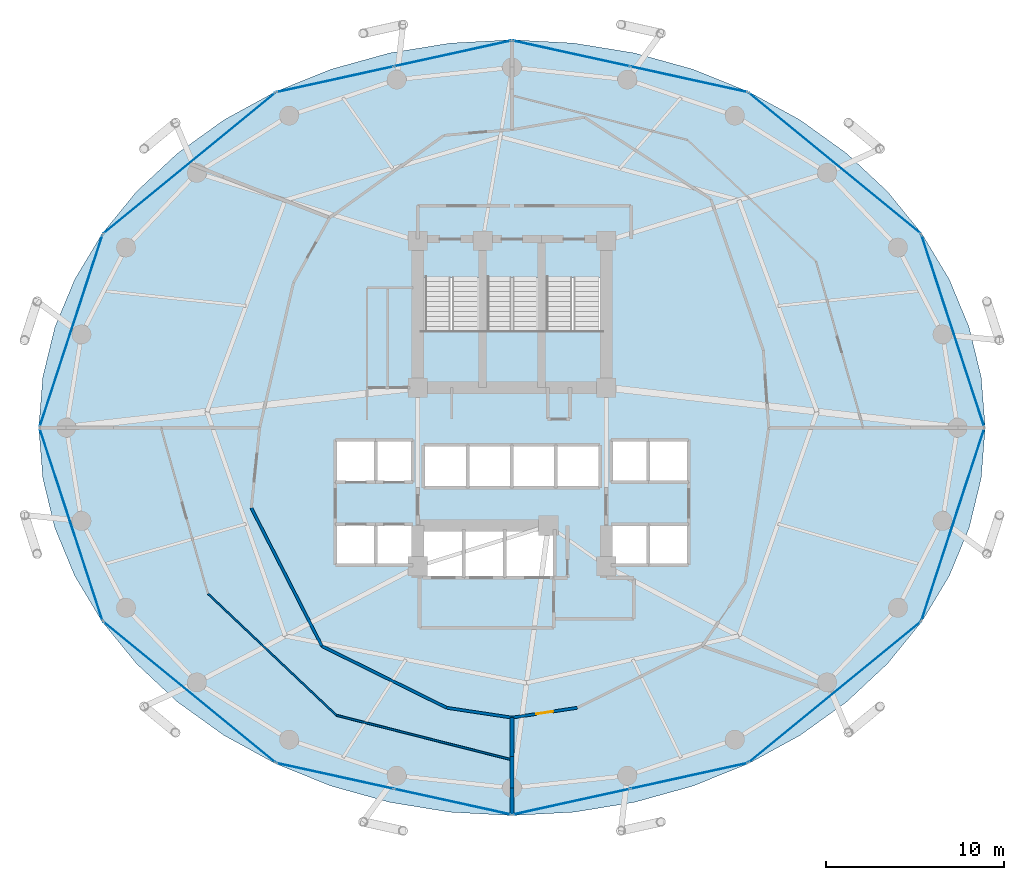
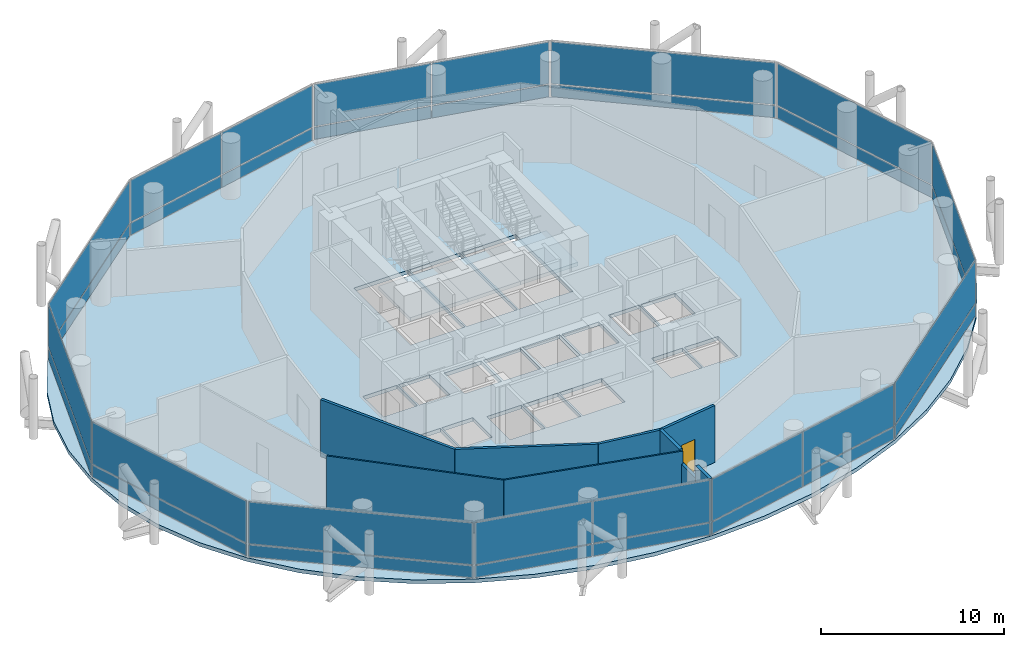
# One storey, part 20 of 24: 32 plates, 9 walls, 4 slabs, 1 door, 1 opening, 15 elements without a shape of their own.
"""IFC4 building model written with IfcOpenShell, lengths in metres."""

from ifc_helpers import new_model, si_unit, direction, frame, frame_2d, origin, origin_2d, place, context, subcontext, project, spatial, polyline, rectangle, outline, extrude, material, layer, layer_set, type_object, element, fill, aggregate, save


model = new_model("IFC4")

# Units and contexts
model_context = context("Model", 3, precision=1e-05, world=origin(), true_north=direction((0.0, 1.0)))
body_context = subcontext(model_context, "Body", "Model", "MODEL_VIEW")
ifc_project = project(units=[si_unit("LENGTHUNIT", "METRE"), si_unit("AREAUNIT", "SQUARE_METRE"), si_unit("VOLUMEUNIT", "CUBIC_METRE"), si_unit("PLANEANGLEUNIT", "RADIAN"), si_unit("MASSUNIT", "GRAM", prefix="KILO")], contexts=[model_context])

# Site, building, storey
site_placement = place(None, origin())
site = spatial("IfcSite", under=ifc_project, at=site_placement, CompositionType="ELEMENT")
building_placement = place(site_placement, origin())
building = spatial("IfcBuilding", under=site, at=building_placement, Name="Nuhasar Tower", CompositionType="ELEMENT")
storey_placement = place(building_placement, frame((0.0, 0.0, 77.699951171875)))
storey = spatial("IfcBuildingStorey", under=building, at=storey_placement, Name="L18", CompositionType="ELEMENT", Elevation=77.699951171875)

# Curtain wall, plate
ifc_material_1 = material(Name="Aluminium 6063-T6", Category="aluminium")
ifc_layer_1 = layer(ifc_material_1, 0.199951171875)
ifc_layer_set_1 = layer_set([ifc_layer_1], Name="Aluminium 6063-T6")
curtain_wall_type = type_object("IfcCurtainWallType", Name="CW-Z1-OFF", PredefinedType="NOTDEFINED", material=ifc_layer_set_1)
curtain_wall_1_placement = place(storey_placement, origin())
curtain_wall_1 = element("IfcCurtainWall", 1, at=curtain_wall_1_placement, inside=storey, type_object=curtain_wall_type, Name="L18 Unitised Curtain Wall 01", PredefinedType="NOTDEFINED")
ifc_material_2 = material(Name="Glass Double Low-E", Category="glass")
ifc_layer_2 = layer(ifc_material_2, 0.028076171875)
ifc_layer_set_2 = layer_set([ifc_layer_2], Name="Glass Double Low-E")
plate_type_1 = type_object("IfcPlateType", Name="CW-PANEL-GLZ", PredefinedType="CURTAIN_PANEL", material=ifc_layer_set_2)
plate_1_placement = place(storey_placement, frame((63.781005859375, 32.239990234375, 0.9326171875), z_axis=(0.0, 0.0, 1.0), x_axis=(-0.310823849997, 0.950467534571, 0.0)))
plate_1 = element("IfcPlate", 2, at=plate_1_placement, type_object=plate_type_1, Name="CW-Z1 panel 1.2", PredefinedType="CURTAIN_PANEL", context=body_context, shape_type="SweptSolid", body=[
    extrude(rectangle(XDim=11.31689453125, YDim=0.028076171875, at=origin_2d()), origin(), (0.0, 0.0, 1.0), 2.802490234375),
])

curtain_wall_2_placement = place(storey_placement, origin())
curtain_wall_2 = element("IfcCurtainWall", 3, at=curtain_wall_2_placement, inside=storey, type_object=curtain_wall_type, Name="L18 Unitised Curtain Wall 02", PredefinedType="NOTDEFINED")
plate_2_placement = place(storey_placement, frame((57.14111328125, 41.66259765625, 0.9326171875), z_axis=(0.0, 0.0, 1.0), x_axis=(-0.773542364946, 0.633744593376, 0.0)))
plate_2 = element("IfcPlate", 4, at=plate_2_placement, type_object=plate_type_1, Name="CW-Z1 panel 1.2", PredefinedType="CURTAIN_PANEL", context=body_context, shape_type="SweptSolid", body=[
    extrude(rectangle(XDim=12.438232421875, YDim=0.028076171875, at=origin_2d()), origin(), (0.0, 0.0, 1.0), 2.802490234375),
])

# Curtain wall, plates
curtain_wall_3_placement = place(storey_placement, origin())
curtain_wall_3 = element("IfcCurtainWall", 5, at=curtain_wall_3_placement, inside=storey, type_object=curtain_wall_type, Name="L18 Unitised Curtain Wall 03", PredefinedType="NOTDEFINED")
plate_3_placement = place(storey_placement, frame((48.944091796875, 46.377197265625, 0.9326171875), z_axis=(0.0, 0.0, 1.0), x_axis=(-0.976746221544, 0.214398737637, 0.0)))
plate_3 = element("IfcPlate", 6, at=plate_3_placement, type_object=plate_type_1, Name="CW-Z1 panel 1.2", PredefinedType="CURTAIN_PANEL", context=body_context, shape_type="SweptSolid", body=[
    extrude(rectangle(XDim=6.70068359375, YDim=0.028076171875, at=origin_2d()), origin(), (0.0, 0.0, 1.0), 2.802490234375),
])
plate_4_placement = place(storey_placement, frame((42.3359375, 47.827880859375, 0.9326171875), z_axis=(0.0, 0.0, 1.0), x_axis=(-0.976746221544, 0.214398737637, 0.0)))
plate_4 = element("IfcPlate", 7, at=plate_4_placement, type_object=plate_type_1, Name="CW-Z1 panel 2.2", PredefinedType="CURTAIN_PANEL", context=body_context, shape_type="SweptSolid", body=[
    extrude(rectangle(XDim=6.70068359375, YDim=0.028076171875, at=origin_2d()), origin(), (0.0, 0.0, 1.0), 2.802490234375),
])

curtain_wall_4_placement = place(storey_placement, origin())
curtain_wall_4 = element("IfcCurtainWall", 8, at=curtain_wall_4_placement, inside=storey, type_object=curtain_wall_type, Name="L18 Unitised Curtain Wall 04", PredefinedType="NOTDEFINED")
plate_5_placement = place(storey_placement, frame((35.6640625, 47.827880859375, 0.9326171875), z_axis=(0.0, 0.0, 1.0), x_axis=(-0.976746221544, -0.214398737637, 0.0)))
plate_5 = element("IfcPlate", 9, at=plate_5_placement, type_object=plate_type_1, Name="CW-Z1 panel 1.2", PredefinedType="CURTAIN_PANEL", context=body_context, shape_type="SweptSolid", body=[
    extrude(rectangle(XDim=6.70068359375, YDim=0.028076171875, at=origin_2d()), origin(), (0.0, 0.0, 1.0), 2.802490234375),
])
plate_6_placement = place(storey_placement, frame((29.055908203125, 46.377197265625, 0.9326171875), z_axis=(0.0, 0.0, 1.0), x_axis=(-0.976746221544, -0.214398737637, 0.0)))
plate_6 = element("IfcPlate", 10, at=plate_6_placement, type_object=plate_type_1, Name="CW-Z1 panel 2.2", PredefinedType="CURTAIN_PANEL", context=body_context, shape_type="SweptSolid", body=[
    extrude(rectangle(XDim=6.70068359375, YDim=0.028076171875, at=origin_2d()), origin(), (0.0, 0.0, 1.0), 2.802490234375),
])

# Curtain wall, plate
curtain_wall_5_placement = place(storey_placement, origin())
curtain_wall_5 = element("IfcCurtainWall", 11, at=curtain_wall_5_placement, inside=storey, type_object=curtain_wall_type, Name="L18 Unitised Curtain Wall 05", PredefinedType="NOTDEFINED")
plate_7_placement = place(storey_placement, frame((20.85888671875, 41.66259765625, 0.9326171875), z_axis=(0.0, 0.0, 1.0), x_axis=(-0.773542364946, -0.633744593376, 0.0)))
plate_7 = element("IfcPlate", 12, at=plate_7_placement, type_object=plate_type_1, Name="CW-Z1 panel 1.2", PredefinedType="CURTAIN_PANEL", context=body_context, shape_type="SweptSolid", body=[
    extrude(rectangle(XDim=12.438232421875, YDim=0.028076171875, at=origin_2d()), origin(), (0.0, 0.0, 1.0), 2.802490234375),
])

curtain_wall_6_placement = place(storey_placement, origin())
curtain_wall_6 = element("IfcCurtainWall", 13, at=curtain_wall_6_placement, inside=storey, type_object=curtain_wall_type, Name="L18 Unitised Curtain Wall 06", PredefinedType="NOTDEFINED")
plate_8_placement = place(storey_placement, frame((14.218994140625, 32.239990234375, 0.9326171875), z_axis=(0.0, 0.0, 1.0), x_axis=(-0.310823849997, -0.950467534571, 0.0)))
plate_8 = element("IfcPlate", 14, at=plate_8_placement, type_object=plate_type_1, Name="CW-Z1 panel 1.2", PredefinedType="CURTAIN_PANEL", context=body_context, shape_type="SweptSolid", body=[
    extrude(rectangle(XDim=11.31689453125, YDim=0.028076171875, at=origin_2d()), origin(), (0.0, 0.0, 1.0), 2.802490234375),
])

curtain_wall_7_placement = place(storey_placement, origin())
curtain_wall_7 = element("IfcCurtainWall", 15, at=curtain_wall_7_placement, inside=storey, type_object=curtain_wall_type, Name="L18 Unitised Curtain Wall 07", PredefinedType="NOTDEFINED")
plate_9_placement = place(storey_placement, frame((14.218994140625, 21.360107421875, 0.9326171875), z_axis=(0.0, 0.0, 1.0), x_axis=(0.310823849997, -0.950467534571, 0.0)))
plate_9 = element("IfcPlate", 16, at=plate_9_placement, type_object=plate_type_1, Name="CW-Z1 panel 1.2", PredefinedType="CURTAIN_PANEL", context=body_context, shape_type="SweptSolid", body=[
    extrude(rectangle(XDim=11.31689453125, YDim=0.028076171875, at=origin_2d()), origin(), (0.0, 0.0, 1.0), 2.802490234375),
])

curtain_wall_8_placement = place(storey_placement, origin())
curtain_wall_8 = element("IfcCurtainWall", 17, at=curtain_wall_8_placement, inside=storey, type_object=curtain_wall_type, Name="L18 Unitised Curtain Wall 08", PredefinedType="NOTDEFINED")
plate_10_placement = place(storey_placement, frame((20.85888671875, 11.9375, 0.9326171875), z_axis=(0.0, 0.0, 1.0), x_axis=(0.773542364946, -0.633744593376, 0.0)))
plate_10 = element("IfcPlate", 18, at=plate_10_placement, type_object=plate_type_1, Name="CW-Z1 panel 1.2", PredefinedType="CURTAIN_PANEL", context=body_context, shape_type="SweptSolid", body=[
    extrude(rectangle(XDim=12.438232421875, YDim=0.028076171875, at=origin_2d()), origin(), (0.0, 0.0, 1.0), 2.802490234375),
])

# Curtain wall, plates
curtain_wall_9_placement = place(storey_placement, origin())
curtain_wall_9 = element("IfcCurtainWall", 19, at=curtain_wall_9_placement, inside=storey, type_object=curtain_wall_type, Name="L18 Unitised Curtain Wall 09", PredefinedType="NOTDEFINED")
plate_11_placement = place(storey_placement, frame((29.055908203125, 7.22265625, 0.9326171875), z_axis=(0.0, 0.0, 1.0), x_axis=(0.976746221544, -0.214398737637, 0.0)))
plate_11 = element("IfcPlate", 20, at=plate_11_placement, type_object=plate_type_1, Name="CW-Z1 panel 1.2", PredefinedType="CURTAIN_PANEL", context=body_context, shape_type="SweptSolid", body=[
    extrude(rectangle(XDim=6.70068359375, YDim=0.028076171875, at=origin_2d()), origin(), (0.0, 0.0, 1.0), 2.802490234375),
])
plate_12_placement = place(storey_placement, frame((35.6640625, 5.772216796875, 0.9326171875), z_axis=(0.0, 0.0, 1.0), x_axis=(0.976746221544, -0.214398737637, 0.0)))
plate_12 = element("IfcPlate", 21, at=plate_12_placement, type_object=plate_type_1, Name="CW-Z1 panel 2.2", PredefinedType="CURTAIN_PANEL", context=body_context, shape_type="SweptSolid", body=[
    extrude(rectangle(XDim=6.70068359375, YDim=0.028076171875, at=origin_2d()), origin(), (0.0, 0.0, 1.0), 2.802490234375),
])

curtain_wall_10_placement = place(storey_placement, origin())
curtain_wall_10 = element("IfcCurtainWall", 22, at=curtain_wall_10_placement, inside=storey, type_object=curtain_wall_type, Name="L18 Unitised Curtain Wall 10", PredefinedType="NOTDEFINED")
plate_13_placement = place(storey_placement, frame((42.3359375, 5.772216796875, 0.9326171875), z_axis=(0.0, 0.0, 1.0), x_axis=(0.976746221544, 0.214398737637, 0.0)))
plate_13 = element("IfcPlate", 23, at=plate_13_placement, type_object=plate_type_1, Name="CW-Z1 panel 1.2", PredefinedType="CURTAIN_PANEL", context=body_context, shape_type="SweptSolid", body=[
    extrude(rectangle(XDim=6.70068359375, YDim=0.028076171875, at=origin_2d()), origin(), (0.0, 0.0, 1.0), 2.802490234375),
])
plate_14_placement = place(storey_placement, frame((48.944091796875, 7.22265625, 0.9326171875), z_axis=(0.0, 0.0, 1.0), x_axis=(0.976746221544, 0.214398737637, 0.0)))
plate_14 = element("IfcPlate", 24, at=plate_14_placement, type_object=plate_type_1, Name="CW-Z1 panel 2.2", PredefinedType="CURTAIN_PANEL", context=body_context, shape_type="SweptSolid", body=[
    extrude(rectangle(XDim=6.70068359375, YDim=0.028076171875, at=origin_2d()), origin(), (0.0, 0.0, 1.0), 2.802490234375),
])

# Curtain wall, plate
curtain_wall_11_placement = place(storey_placement, origin())
curtain_wall_11 = element("IfcCurtainWall", 25, at=curtain_wall_11_placement, inside=storey, type_object=curtain_wall_type, Name="L18 Unitised Curtain Wall 11", PredefinedType="NOTDEFINED")
plate_15_placement = place(storey_placement, frame((57.14111328125, 11.9375, 0.9326171875), z_axis=(0.0, 0.0, 1.0), x_axis=(0.773542364946, 0.633744593376, 0.0)))
plate_15 = element("IfcPlate", 26, at=plate_15_placement, type_object=plate_type_1, Name="CW-Z1 panel 1.2", PredefinedType="CURTAIN_PANEL", context=body_context, shape_type="SweptSolid", body=[
    extrude(rectangle(XDim=12.438232421875, YDim=0.028076171875, at=origin_2d()), origin(), (0.0, 0.0, 1.0), 2.802490234375),
])

curtain_wall_12_placement = place(storey_placement, origin())
curtain_wall_12 = element("IfcCurtainWall", 27, at=curtain_wall_12_placement, inside=storey, type_object=curtain_wall_type, Name="L18 Unitised Curtain Wall 12", PredefinedType="NOTDEFINED")
plate_16_placement = place(storey_placement, frame((63.781005859375, 21.360107421875, 0.9326171875), z_axis=(0.0, 0.0, 1.0), x_axis=(0.310823849997, 0.950467534571, 0.0)))
plate_16 = element("IfcPlate", 28, at=plate_16_placement, type_object=plate_type_1, Name="CW-Z1 panel 1.2", PredefinedType="CURTAIN_PANEL", context=body_context, shape_type="SweptSolid", body=[
    extrude(rectangle(XDim=11.31689453125, YDim=0.028076171875, at=origin_2d()), origin(), (0.0, 0.0, 1.0), 2.802490234375),
])

# Plate
ifc_material_3 = material(Name="Glass Spandrel", Category="glass")
ifc_layer_3 = layer(ifc_material_3, 0.035888671875)
ifc_layer_set_3 = layer_set([ifc_layer_3], Name="Glass Spandrel")
plate_type_2 = type_object("IfcPlateType", Name="CW-PANEL-SPN", PredefinedType="CURTAIN_PANEL", material=ifc_layer_set_3)
plate_17_placement = place(storey_placement, frame((63.781005859375, 32.239990234375, 0.06494140625), z_axis=(0.0, 0.0, 1.0), x_axis=(-0.310823849997, 0.950467534571, 0.0)))
plate_17 = element("IfcPlate", 29, at=plate_17_placement, type_object=plate_type_2, Name="CW-Z1 panel 1.1", PredefinedType="CURTAIN_PANEL", context=body_context, shape_type="SweptSolid", body=[
    extrude(rectangle(XDim=11.31689453125, YDim=0.035888671875, at=origin_2d()), origin(), (0.0, 0.0, 1.0), 0.802490234375),
])

aggregate(curtain_wall_1, [plate_17, plate_1])

plate_18_placement = place(storey_placement, frame((57.14111328125, 41.66259765625, 0.06494140625), z_axis=(0.0, 0.0, 1.0), x_axis=(-0.773542364946, 0.633744593376, 0.0)))
plate_18 = element("IfcPlate", 30, at=plate_18_placement, type_object=plate_type_2, Name="CW-Z1 panel 1.1", PredefinedType="CURTAIN_PANEL", context=body_context, shape_type="SweptSolid", body=[
    extrude(rectangle(XDim=12.438232421875, YDim=0.035888671875, at=origin_2d()), origin(), (0.0, 0.0, 1.0), 0.802490234375),
])

aggregate(curtain_wall_2, [plate_18, plate_2])

plate_19_placement = place(storey_placement, frame((48.944091796875, 46.377197265625, 0.06494140625), z_axis=(0.0, 0.0, 1.0), x_axis=(-0.976746221544, 0.214398737637, 0.0)))
plate_19 = element("IfcPlate", 31, at=plate_19_placement, type_object=plate_type_2, Name="CW-Z1 panel 1.1", PredefinedType="CURTAIN_PANEL", context=body_context, shape_type="SweptSolid", body=[
    extrude(rectangle(XDim=6.70068359375, YDim=0.035888671875, at=origin_2d()), origin(), (0.0, 0.0, 1.0), 0.802490234375),
])

plate_20_placement = place(storey_placement, frame((42.3359375, 47.827880859375, 0.06494140625), z_axis=(0.0, 0.0, 1.0), x_axis=(-0.976746221544, 0.214398737637, 0.0)))
plate_20 = element("IfcPlate", 32, at=plate_20_placement, type_object=plate_type_2, Name="CW-Z1 panel 2.1", PredefinedType="CURTAIN_PANEL", context=body_context, shape_type="SweptSolid", body=[
    extrude(rectangle(XDim=6.70068359375, YDim=0.035888671875, at=origin_2d()), origin(), (0.0, 0.0, 1.0), 0.802490234375),
])

aggregate(curtain_wall_3, [plate_19, plate_3, plate_20, plate_4])

plate_21_placement = place(storey_placement, frame((35.6640625, 47.827880859375, 0.06494140625), z_axis=(0.0, 0.0, 1.0), x_axis=(-0.976746221544, -0.214398737637, 0.0)))
plate_21 = element("IfcPlate", 33, at=plate_21_placement, type_object=plate_type_2, Name="CW-Z1 panel 1.1", PredefinedType="CURTAIN_PANEL", context=body_context, shape_type="SweptSolid", body=[
    extrude(rectangle(XDim=6.70068359375, YDim=0.035888671875, at=origin_2d()), origin(), (0.0, 0.0, 1.0), 0.802490234375),
])

plate_22_placement = place(storey_placement, frame((29.055908203125, 46.377197265625, 0.06494140625), z_axis=(0.0, 0.0, 1.0), x_axis=(-0.976746221544, -0.214398737637, 0.0)))
plate_22 = element("IfcPlate", 34, at=plate_22_placement, type_object=plate_type_2, Name="CW-Z1 panel 2.1", PredefinedType="CURTAIN_PANEL", context=body_context, shape_type="SweptSolid", body=[
    extrude(rectangle(XDim=6.70068359375, YDim=0.035888671875, at=origin_2d()), origin(), (0.0, 0.0, 1.0), 0.802490234375),
])

aggregate(curtain_wall_4, [plate_21, plate_5, plate_22, plate_6])

plate_23_placement = place(storey_placement, frame((20.85888671875, 41.66259765625, 0.06494140625), z_axis=(0.0, 0.0, 1.0), x_axis=(-0.773542364946, -0.633744593376, 0.0)))
plate_23 = element("IfcPlate", 35, at=plate_23_placement, type_object=plate_type_2, Name="CW-Z1 panel 1.1", PredefinedType="CURTAIN_PANEL", context=body_context, shape_type="SweptSolid", body=[
    extrude(rectangle(XDim=12.438232421875, YDim=0.035888671875, at=origin_2d()), origin(), (0.0, 0.0, 1.0), 0.802490234375),
])

aggregate(curtain_wall_5, [plate_23, plate_7])

plate_24_placement = place(storey_placement, frame((14.218994140625, 32.239990234375, 0.06494140625), z_axis=(0.0, 0.0, 1.0), x_axis=(-0.310823849997, -0.950467534571, 0.0)))
plate_24 = element("IfcPlate", 36, at=plate_24_placement, type_object=plate_type_2, Name="CW-Z1 panel 1.1", PredefinedType="CURTAIN_PANEL", context=body_context, shape_type="SweptSolid", body=[
    extrude(rectangle(XDim=11.31689453125, YDim=0.035888671875, at=origin_2d()), origin(), (0.0, 0.0, 1.0), 0.802490234375),
])

aggregate(curtain_wall_6, [plate_24, plate_8])

plate_25_placement = place(storey_placement, frame((14.218994140625, 21.360107421875, 0.06494140625), z_axis=(0.0, 0.0, 1.0), x_axis=(0.310823849997, -0.950467534571, 0.0)))
plate_25 = element("IfcPlate", 37, at=plate_25_placement, type_object=plate_type_2, Name="CW-Z1 panel 1.1", PredefinedType="CURTAIN_PANEL", context=body_context, shape_type="SweptSolid", body=[
    extrude(rectangle(XDim=11.31689453125, YDim=0.035888671875, at=origin_2d()), origin(), (0.0, 0.0, 1.0), 0.802490234375),
])

aggregate(curtain_wall_7, [plate_25, plate_9])

plate_26_placement = place(storey_placement, frame((20.85888671875, 11.9375, 0.06494140625), z_axis=(0.0, 0.0, 1.0), x_axis=(0.773542364946, -0.633744593376, 0.0)))
plate_26 = element("IfcPlate", 38, at=plate_26_placement, type_object=plate_type_2, Name="CW-Z1 panel 1.1", PredefinedType="CURTAIN_PANEL", context=body_context, shape_type="SweptSolid", body=[
    extrude(rectangle(XDim=12.438232421875, YDim=0.035888671875, at=origin_2d()), origin(), (0.0, 0.0, 1.0), 0.802490234375),
])

aggregate(curtain_wall_8, [plate_26, plate_10])

plate_27_placement = place(storey_placement, frame((29.055908203125, 7.22265625, 0.06494140625), z_axis=(0.0, 0.0, 1.0), x_axis=(0.976746221544, -0.214398737637, 0.0)))
plate_27 = element("IfcPlate", 39, at=plate_27_placement, type_object=plate_type_2, Name="CW-Z1 panel 1.1", PredefinedType="CURTAIN_PANEL", context=body_context, shape_type="SweptSolid", body=[
    extrude(rectangle(XDim=6.70068359375, YDim=0.035888671875, at=origin_2d()), origin(), (0.0, 0.0, 1.0), 0.802490234375),
])

plate_28_placement = place(storey_placement, frame((35.6640625, 5.772216796875, 0.06494140625), z_axis=(0.0, 0.0, 1.0), x_axis=(0.976746221544, -0.214398737637, 0.0)))
plate_28 = element("IfcPlate", 40, at=plate_28_placement, type_object=plate_type_2, Name="CW-Z1 panel 2.1", PredefinedType="CURTAIN_PANEL", context=body_context, shape_type="SweptSolid", body=[
    extrude(rectangle(XDim=6.70068359375, YDim=0.035888671875, at=origin_2d()), origin(), (0.0, 0.0, 1.0), 0.802490234375),
])

aggregate(curtain_wall_9, [plate_27, plate_11, plate_28, plate_12])

plate_29_placement = place(storey_placement, frame((42.3359375, 5.772216796875, 0.06494140625), z_axis=(0.0, 0.0, 1.0), x_axis=(0.976746221544, 0.214398737637, 0.0)))
plate_29 = element("IfcPlate", 41, at=plate_29_placement, type_object=plate_type_2, Name="CW-Z1 panel 1.1", PredefinedType="CURTAIN_PANEL", context=body_context, shape_type="SweptSolid", body=[
    extrude(rectangle(XDim=6.70068359375, YDim=0.035888671875, at=origin_2d()), origin(), (0.0, 0.0, 1.0), 0.802490234375),
])

plate_30_placement = place(storey_placement, frame((48.944091796875, 7.22265625, 0.06494140625), z_axis=(0.0, 0.0, 1.0), x_axis=(0.976746221544, 0.214398737637, 0.0)))
plate_30 = element("IfcPlate", 42, at=plate_30_placement, type_object=plate_type_2, Name="CW-Z1 panel 2.1", PredefinedType="CURTAIN_PANEL", context=body_context, shape_type="SweptSolid", body=[
    extrude(rectangle(XDim=6.70068359375, YDim=0.035888671875, at=origin_2d()), origin(), (0.0, 0.0, 1.0), 0.802490234375),
])

aggregate(curtain_wall_10, [plate_29, plate_13, plate_30, plate_14])

plate_31_placement = place(storey_placement, frame((57.14111328125, 11.9375, 0.06494140625), z_axis=(0.0, 0.0, 1.0), x_axis=(0.773542364946, 0.633744593376, 0.0)))
plate_31 = element("IfcPlate", 43, at=plate_31_placement, type_object=plate_type_2, Name="CW-Z1 panel 1.1", PredefinedType="CURTAIN_PANEL", context=body_context, shape_type="SweptSolid", body=[
    extrude(rectangle(XDim=12.438232421875, YDim=0.035888671875, at=origin_2d()), origin(), (0.0, 0.0, 1.0), 0.802490234375),
])

aggregate(curtain_wall_11, [plate_31, plate_15])

plate_32_placement = place(storey_placement, frame((63.781005859375, 21.360107421875, 0.06494140625), z_axis=(0.0, 0.0, 1.0), x_axis=(0.310823849997, 0.950467534571, 0.0)))
plate_32 = element("IfcPlate", 44, at=plate_32_placement, type_object=plate_type_2, Name="CW-Z1 panel 1.1", PredefinedType="CURTAIN_PANEL", context=body_context, shape_type="SweptSolid", body=[
    extrude(rectangle(XDim=11.31689453125, YDim=0.035888671875, at=origin_2d()), origin(), (0.0, 0.0, 1.0), 0.802490234375),
])

aggregate(curtain_wall_12, [plate_32, plate_16])

# Stair, slab
ifc_material_4 = material(Name="Concrete C45/55", Category="concrete")
stair_type_1 = type_object("IfcStairType", Name="STR-ST-01-2F-24R-1688", PredefinedType="HALF_TURN_STAIR", material=ifc_material_4)
stair_1_placement = place(storey_placement, origin())
stair_1 = element("IfcStair", 45, at=stair_1_placement, inside=storey, type_object=stair_type_1, Name="L18 Exit Stair ST-01", PredefinedType="HALF_TURN_STAIR")
ifc_layer_4 = layer(ifc_material_4, 0.239990234375)
ifc_layer_set_4 = layer_set([ifc_layer_4], Name="Concrete C45/55")
slab_type_1 = type_object("IfcSlabType", Name="SLB-STAIR-LND-240", PredefinedType="LANDING", material=ifc_layer_set_4)
slab_1_placement = place(storey_placement, frame((0.0, 0.0, 1.78515625)))
slab_1 = element("IfcSlab", 46, at=slab_1_placement, type_object=slab_type_1, Name="ST-01 landing 1", PredefinedType="LANDING", context=body_context, shape_type="SweptSolid", body=[
    extrude(outline(polyline([(33.699951171875, 28.75), (37.35009765625, 28.75), (37.35009765625, 32.239990234375), (33.699951171875, 32.239990234375), (33.699951171875, 28.75)])), origin(), (0.0, 0.0, 1.0), 0.239990234375),
])
aggregate(stair_1, [slab_1])

stair_type_2 = type_object("IfcStairType", Name="STR-ST-03-2F-24R-1688", PredefinedType="HALF_TURN_STAIR", material=ifc_material_4)
stair_2_placement = place(storey_placement, origin())
stair_2 = element("IfcStair", 47, at=stair_2_placement, inside=storey, type_object=stair_type_2, Name="L18 Exit Stair ST-03", PredefinedType="HALF_TURN_STAIR")
slab_2_placement = place(storey_placement, frame((0.0, 0.0, 1.78515625)))
slab_2 = element("IfcSlab", 48, at=slab_2_placement, type_object=slab_type_1, Name="ST-03 landing 1", PredefinedType="LANDING", context=body_context, shape_type="SweptSolid", body=[
    extrude(outline(polyline([(37.35009765625, 28.75), (40.64990234375, 28.75), (40.64990234375, 32.239990234375), (37.35009765625, 32.239990234375), (37.35009765625, 28.75)])), origin(), (0.0, 0.0, 1.0), 0.239990234375),
])
aggregate(stair_2, [slab_2])

stair_type_3 = type_object("IfcStairType", Name="STR-ST-02-2F-24R-1688", PredefinedType="HALF_TURN_STAIR", material=ifc_material_4)
stair_3_placement = place(storey_placement, origin())
stair_3 = element("IfcStair", 49, at=stair_3_placement, inside=storey, type_object=stair_type_3, Name="L18 Exit Stair ST-02", PredefinedType="HALF_TURN_STAIR")
slab_3_placement = place(storey_placement, frame((0.0, 0.0, 1.78515625)))
slab_3 = element("IfcSlab", 50, at=slab_3_placement, type_object=slab_type_1, Name="ST-02 landing 1", PredefinedType="LANDING", context=body_context, shape_type="SweptSolid", body=[
    extrude(outline(polyline([(40.64990234375, 28.75), (44.300048828125, 28.75), (44.300048828125, 32.239990234375), (40.64990234375, 32.239990234375), (40.64990234375, 28.75)])), origin(), (0.0, 0.0, 1.0), 0.239990234375),
])
aggregate(stair_3, [slab_3])

# Slab
ifc_layer_5 = layer(ifc_material_4, 0.25)
ifc_layer_set_5 = layer_set([ifc_layer_5], Name="Concrete C45/55")
slab_type_2 = type_object("IfcSlabType", Name="SLB-Z1B-250", PredefinedType="FLOOR", material=ifc_layer_set_5)
slab_4_placement = place(storey_placement, frame((0.0, 0.0, -0.25)))
element("IfcSlab", 51, at=slab_4_placement, inside=storey, type_object=slab_type_2, Name="L18 Structural Slab", PredefinedType="FLOOR", context=body_context, shape_type="SweptSolid", body=[
    extrude(outline(polyline([(65.60009765625, 26.800048828125), (65.3720703125, 29.64501953125), (64.694091796875, 32.44189453125), (63.574951171875, 35.14208984375), (62.035888671875, 37.699951171875), (60.10302734375, 40.071044921875), (57.80908203125, 42.215087890625), (55.193115234375, 44.094970703125), (52.300048828125, 45.678955078125), (49.178955078125, 46.94091796875), (45.885009765625, 47.85693359375), (42.471923828125, 48.4130859375), (39.0, 48.60009765625), (35.528076171875, 48.4130859375), (32.114990234375, 47.85693359375), (28.821044921875, 46.94091796875), (25.699951171875, 45.678955078125), (22.806884765625, 44.094970703125), (20.19091796875, 42.215087890625), (17.89697265625, 40.071044921875), (15.964111328125, 37.699951171875), (14.425048828125, 35.14208984375), (13.305908203125, 32.44189453125), (12.6279296875, 29.64501953125), (12.39990234375, 26.800048828125), (12.6279296875, 23.955078125), (13.305908203125, 21.157958984375), (14.425048828125, 18.4580078125), (15.964111328125, 15.89990234375), (17.89697265625, 13.529052734375), (20.19091796875, 11.385009765625), (22.806884765625, 9.5048828125), (25.699951171875, 7.9208984375), (28.821044921875, 6.658935546875), (32.114990234375, 5.742919921875), (35.528076171875, 5.18701171875), (39.0, 5.0), (42.471923828125, 5.18701171875), (45.885009765625, 5.742919921875), (49.178955078125, 6.658935546875), (52.300048828125, 7.9208984375), (55.193115234375, 9.5048828125), (57.80908203125, 11.385009765625), (60.10302734375, 13.529052734375), (62.035888671875, 15.89990234375), (63.574951171875, 18.4580078125), (64.694091796875, 21.157958984375), (65.3720703125, 23.955078125), (65.60009765625, 26.800048828125)]), holes=[polyline([(33.8798828125, 35.25), (37.300048828125, 35.25), (37.300048828125, 29.0), (33.8798828125, 29.0), (33.8798828125, 35.25)]), polyline([(37.39990234375, 35.25), (40.60009765625, 35.25), (40.60009765625, 29.0), (37.39990234375, 29.0), (37.39990234375, 35.25)]), polyline([(40.699951171875, 35.25), (44.1201171875, 35.25), (44.1201171875, 29.0), (40.699951171875, 29.0), (40.699951171875, 35.25)]), polyline([(29.14990234375, 26.050048828125), (31.300048828125, 26.050048828125), (31.300048828125, 23.800048828125), (29.14990234375, 23.800048828125), (29.14990234375, 26.050048828125)]), polyline([(31.39990234375, 26.050048828125), (33.35009765625, 26.050048828125), (33.35009765625, 23.800048828125), (31.39990234375, 23.800048828125), (31.39990234375, 26.050048828125)]), polyline([(29.14990234375, 21.300048828125), (31.300048828125, 21.300048828125), (31.300048828125, 19.14990234375), (29.14990234375, 19.14990234375), (29.14990234375, 21.300048828125)]), polyline([(31.39990234375, 21.300048828125), (33.35009765625, 21.300048828125), (33.35009765625, 19.14990234375), (31.39990234375, 19.14990234375), (31.39990234375, 21.300048828125)]), polyline([(44.64990234375, 26.050048828125), (46.60009765625, 26.050048828125), (46.60009765625, 23.800048828125), (44.64990234375, 23.800048828125), (44.64990234375, 26.050048828125)]), polyline([(46.699951171875, 26.050048828125), (48.85009765625, 26.050048828125), (48.85009765625, 23.800048828125), (46.699951171875, 23.800048828125), (46.699951171875, 26.050048828125)]), polyline([(44.64990234375, 21.300048828125), (46.60009765625, 21.300048828125), (46.60009765625, 19.14990234375), (44.64990234375, 19.14990234375), (44.64990234375, 21.300048828125)]), polyline([(46.699951171875, 21.300048828125), (48.85009765625, 21.300048828125), (48.85009765625, 19.14990234375), (46.699951171875, 19.14990234375), (46.699951171875, 21.300048828125)]), polyline([(34.10009765625, 25.75), (36.43994140625, 25.75), (36.43994140625, 23.5), (34.10009765625, 23.5), (34.10009765625, 25.75)]), polyline([(36.580078125, 25.75), (38.919921875, 25.75), (38.919921875, 23.5), (36.580078125, 23.5), (36.580078125, 25.75)]), polyline([(39.06005859375, 25.75), (41.39990234375, 25.75), (41.39990234375, 23.5), (39.06005859375, 23.5), (39.06005859375, 25.75)]), polyline([(41.5400390625, 25.75), (43.8798828125, 25.75), (43.8798828125, 23.5), (41.5400390625, 23.5), (41.5400390625, 25.75)]), polyline([(34.050048828125, 21.0), (36.25, 21.0), (36.25, 18.449951171875), (34.050048828125, 18.449951171875), (34.050048828125, 21.0)]), polyline([(36.35009765625, 21.0), (38.550048828125, 21.0), (38.550048828125, 18.449951171875), (36.35009765625, 18.449951171875), (36.35009765625, 21.0)]), polyline([(38.64990234375, 21.0), (41.320068359375, 21.0), (41.320068359375, 18.449951171875), (38.64990234375, 18.449951171875), (38.64990234375, 21.0)])]), origin(), (0.0, 0.0, 1.0), 0.25),
])

# Walls
ifc_material_5 = material(Name="Gypsum Board", Category="gypsum")
ifc_layer_6 = layer(ifc_material_5, 0.159912109375)
ifc_layer_set_6 = layer_set([ifc_layer_6], Name="Gypsum Board")
wall_type_1 = type_object("IfcWallType", Name="WL-CORR-160", PredefinedType="PARTITIONING", material=ifc_layer_set_6)
wall_1_placement = place(storey_placement, frame((24.346923828125, 22.287109375, 0.0), z_axis=(0.0, 0.0, 1.0), x_axis=(0.455122402034, -0.890428884958, 0.0)))
element("IfcWall", 52, at=wall_1_placement, inside=storey, type_object=wall_type_1, Name="L18 Interior Partition CORR-26", PredefinedType="PARTITIONING", context=body_context, shape_type="SweptSolid", body=[
    extrude(rectangle(XDim=8.722900390625, YDim=0.159912109375, at=frame_2d((4.361328125, 0.0))), origin(), (0.0, 0.0, 1.0), 3.800048828125),
])
wall_2_placement = place(storey_placement, frame((28.31689453125, 14.52001953125, 0.0), z_axis=(0.0, 0.0, 1.0), x_axis=(0.896539401739, -0.442963995296, 0.0)))
element("IfcWall", 53, at=wall_2_placement, inside=storey, type_object=wall_type_1, Name="L18 Interior Partition CORR-30", PredefinedType="PARTITIONING", context=body_context, shape_type="SweptSolid", body=[
    extrude(rectangle(XDim=7.822509765625, YDim=0.159912109375, at=frame_2d((3.9111328125, 0.0))), origin(), (0.0, 0.0, 1.0), 3.800048828125),
])
wall_3_placement = place(storey_placement, frame((35.330078125, 11.054931640625, 0.0), z_axis=(0.0, 0.0, 1.0), x_axis=(0.988760040019, -0.149511147616, 0.0)))
element("IfcWall", 54, at=wall_3_placement, inside=storey, type_object=wall_type_1, Name="L18 Interior Partition CORR-34", PredefinedType="PARTITIONING", context=body_context, shape_type="SweptSolid", body=[
    extrude(rectangle(XDim=3.711669921875, YDim=0.159912109375, at=frame_2d((1.85595703125, 0.0))), origin(), (0.0, 0.0, 1.0), 3.800048828125),
])

# Wall, opening, door
wall_4_placement = place(storey_placement, frame((42.669921875, 11.054931640625, 0.0), z_axis=(0.0, 0.0, 1.0), x_axis=(-0.988760040019, -0.149511147616, 0.0)))
wall_4 = element("IfcWall", 55, at=wall_4_placement, inside=storey, type_object=wall_type_1, Name="L18 Interior Partition CORR-36", PredefinedType="PARTITIONING", context=body_context, shape_type="SweptSolid", body=[
    extrude(rectangle(XDim=3.711669921875, YDim=0.159912109375, at=frame_2d((1.85595703125, 0.0))), origin(), (0.0, 0.0, 1.0), 3.800048828125),
])
opening_placement = place(wall_4_placement, frame((1.381103515625, 0.0, 0.0)))
opening = element("IfcOpeningElement", 56, at=opening_placement, cuts=wall_4, Name="Opening DO-01", PredefinedType="OPENING", context=body_context, shape_type="SweptSolid", body=[
    extrude(rectangle(XDim=0.949951171875, YDim=2.14990234375, at=frame_2d((0.47509765625, 1.074951171875))), frame((0.0, 0.08984375, 0.0), z_axis=(0.0, -1.0, 0.0), x_axis=(1.0, 0.0, 0.0)), (0.0, 0.0, 1.0), 0.179931640625),
])
ifc_material_6 = material(Name="Timber Oak", Category="wood")
door_type = type_object("IfcDoorType", Name="DR-OFFICE-FD30-950", OperationType="NOTDEFINED", PredefinedType="DOOR", material=ifc_material_6)
door_placement = place(opening_placement, origin())
door = element("IfcDoor", 57, at=door_placement, inside=storey, type_object=door_type, Name="L18 Scrum Seminar Room Entry Door", OperationType="SINGLE_SWING_LEFT", OverallHeight=2.14990234375, OverallWidth=0.949951171875, PredefinedType="DOOR", context=body_context, shape_type="SweptSolid", body=[
    extrude(rectangle(XDim=0.949951171875, YDim=2.14990234375, at=frame_2d((0.47509765625, 1.074951171875))), frame((0.0, 0.02490234375, 0.0), z_axis=(0.0, -1.0, 0.0), x_axis=(1.0, 0.0, 0.0)), (0.0, 0.0, 1.0), 0.050048828125),
])
fill(opening, door)

# Walls
ifc_layer_7 = layer(ifc_material_1, 0.10009765625)
ifc_layer_set_7 = layer_set([ifc_layer_7], Name="Aluminium 6063-T6")
wall_type_2 = type_object("IfcWallType", Name="WL-MOVABLE-100", PredefinedType="MOVABLE", material=ifc_layer_set_7)
wall_5_placement = place(storey_placement, frame((21.909912109375, 17.465087890625, 0.0), z_axis=(0.0, 0.0, 1.0), x_axis=(0.726342861774, -0.687332559355, 0.0)))
element("IfcWall", 58, at=wall_5_placement, inside=storey, type_object=wall_type_2, Name="L18 Interior Partition OMID-04-28", PredefinedType="MOVABLE", context=body_context, shape_type="SweptSolid", body=[
    extrude(rectangle(XDim=9.944580078125, YDim=0.10009765625, at=frame_2d((4.97216796875, 0.0))), origin(), (0.0, 0.0, 1.0), 3.800048828125),
])
wall_6_placement = place(storey_placement, frame((29.133056640625, 10.6298828125, 0.0), z_axis=(0.0, 0.0, 1.0), x_axis=(0.969345835611, -0.245700327601, 0.0)))
element("IfcWall", 59, at=wall_6_placement, inside=storey, type_object=wall_type_2, Name="L18 Interior Partition OMID-04-32", PredefinedType="MOVABLE", context=body_context, shape_type="SweptSolid", body=[
    extrude(rectangle(XDim=10.178955078125, YDim=0.10009765625, at=frame_2d((5.08935546875, 0.0))), origin(), (0.0, 0.0, 1.0), 3.800048828125),
])
ifc_material_7 = material(Name="Concrete C40/50 precast", Category="concrete")
ifc_layer_8 = layer(ifc_material_7, 0.199951171875)
ifc_layer_set_8 = layer_set([ifc_layer_8], Name="Concrete C40/50 precast")
wall_type_3 = type_object("IfcWallType", Name="WL-UNIT-200", PredefinedType="PARTITIONING", material=ifc_layer_set_8)
wall_7_placement = place(storey_placement, frame((39.0, 10.5, 0.0), z_axis=(0.0, 0.0, 1.0), x_axis=(0.0, -1.0, 0.0)))
element("IfcWall", 60, at=wall_7_placement, inside=storey, type_object=wall_type_3, Name="L18 Interior Partition ORAD-36", PredefinedType="PARTITIONING", context=body_context, shape_type="SweptSolid", body=[
    extrude(rectangle(XDim=2.169921875, YDim=0.199951171875, at=frame_2d((1.0849609375, 0.0))), origin(), (0.0, 0.0, 1.0), 3.800048828125),
])
wall_8_placement = place(storey_placement, frame((39.0, 8.330078125, 0.0), z_axis=(0.0, 0.0, 1.0), x_axis=(0.0, -1.0, 0.0)))
element("IfcWall", 61, at=wall_8_placement, inside=storey, type_object=wall_type_3, Name="L18 Interior Partition ORAD-36", PredefinedType="PARTITIONING", context=body_context, shape_type="SweptSolid", body=[
    extrude(rectangle(XDim=1.794189453125, YDim=0.199951171875, at=frame_2d((0.89697265625, 0.0))), origin(), (0.0, 0.0, 1.0), 2.93994140625),
])
wall_9_placement = place(storey_placement, frame((39.0, 6.535888671875, 0.0), z_axis=(0.0, 0.0, 1.0), x_axis=(0.0, -1.0, 0.0)))
element("IfcWall", 62, at=wall_9_placement, inside=storey, type_object=wall_type_3, Name="L18 Interior Partition ORAD-36", PredefinedType="PARTITIONING", context=body_context, shape_type="SweptSolid", body=[
    extrude(rectangle(XDim=1.4609375, YDim=0.199951171875, at=frame_2d((0.73046875, 0.0))), origin(), (0.0, 0.0, 1.0), 3.800048828125),
])

save(model, "model.ifc")
